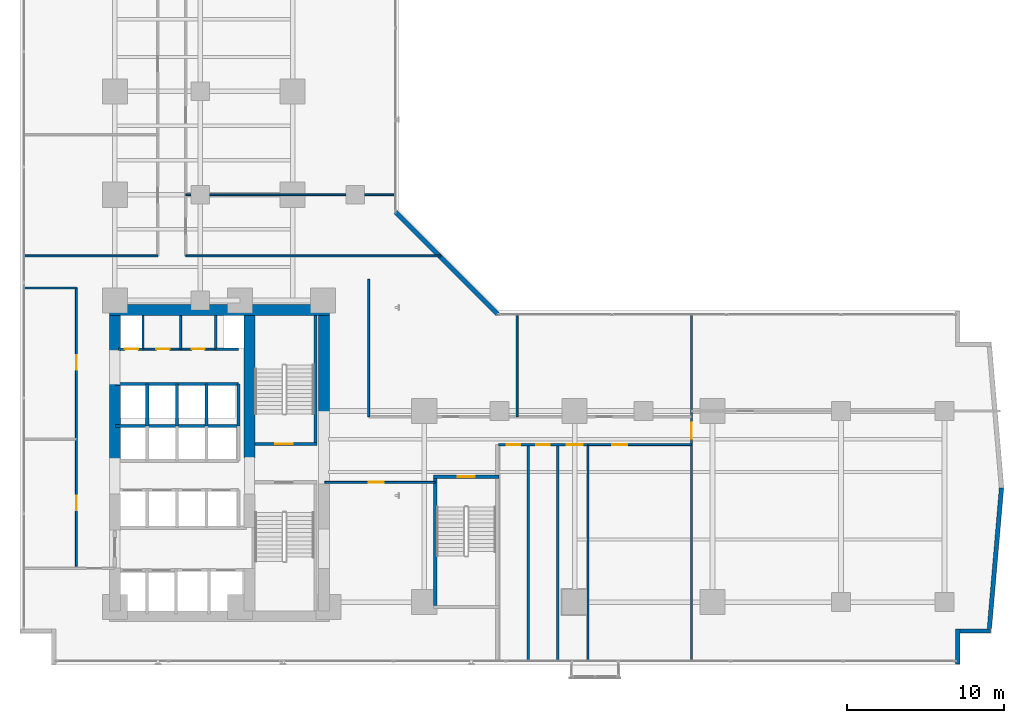
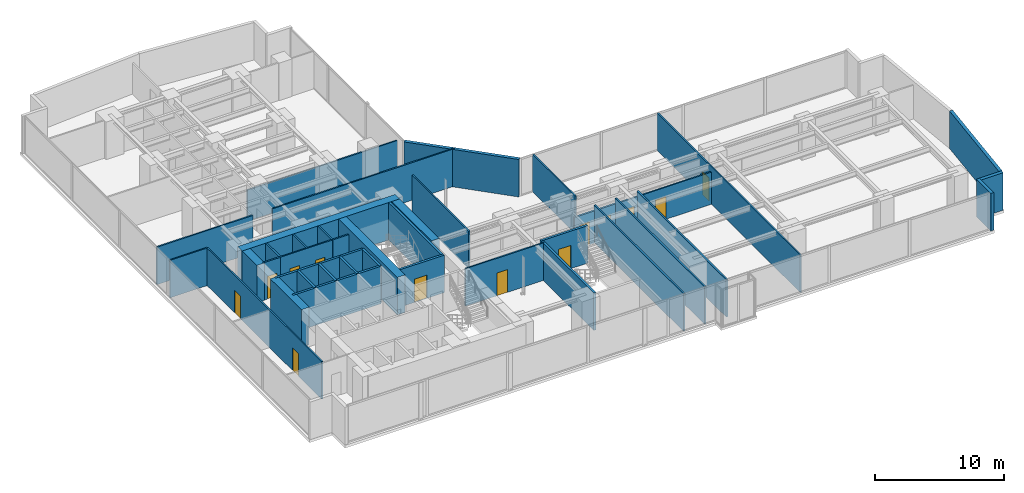
# One storey, part 23 of 28: 39 walls, 13 doors, 13 openings.
"""IFC4 building model written with IfcOpenShell, lengths in metres."""

import ifcopenshell
import ifcopenshell.guid

model = None  # the IFC model being written
_history = None  # IfcOwnerHistory: only IFC2X3 demands one
_inside = {}  # id of a spatial element -> (the spatial element, [elements in it])
_under = {}  # id of a project, library or spatial element -> (it, [spatial elements below it])
_declared = {}  # id of a project -> (the project, [libraries it declares])
_typed = {}  # id of a type object -> (the type object, [elements of that type])
_made_of = {}  # id of a material, layer set ... -> (it, [elements and type objects made of it])


def new_model(schema):
    """Start an empty IFC model of exactly this schema.

    Asked for "IFC4X3", IfcOpenShell would pick the latest addendum, in which some entities
    have other attributes; the version numbers below select the first issue.
    IFC2X3 requires an IfcOwnerHistory on every rooted entity: one is made here for all.
    """
    global model, _history
    if schema == "IFC4X3":
        model = ifcopenshell.file(schema_version=(4, 3, 0, 0))
    else:
        model = ifcopenshell.file(schema=schema)
    _inside.clear()
    _under.clear()
    _declared.clear()
    _typed.clear()
    _made_of.clear()
    _history = None
    if model.schema == "IFC2X3":
        org = make("IfcOrganization", Name="unknown")
        user = make(
            "IfcPersonAndOrganization",
            ThePerson=make("IfcPerson", FamilyName="unknown"),
            TheOrganization=org,
        )
        app = make(
            "IfcApplication",
            ApplicationDeveloper=org,
            Version="unknown",
            ApplicationFullName="unknown",
            ApplicationIdentifier="unknown",
        )
        _history = make(
            "IfcOwnerHistory",
            OwningUser=user,
            OwningApplication=app,
            ChangeAction="ADDED",
            CreationDate=0,
        )
    return model


def make(cls, **values):
    """One entity of the class cls with the attributes given. An attribute that is None is left unset."""
    return model.create_entity(
        cls, **{name: value for name, value in values.items() if value is not None}
    )


def rooted(cls, **values):
    """An entity with a GlobalId (a new one), such as an element, a storey or a relation."""
    return make(cls, GlobalId=ifcopenshell.guid.new(), OwnerHistory=_history, **values)


def si_unit(unit_type, name, prefix=None):
    """IfcSIUnit, for example si_unit("LENGTHUNIT", "METRE", prefix="MILLI")."""
    return make("IfcSIUnit", UnitType=unit_type, Prefix=prefix, Name=name)


def assignment(units):
    """IfcUnitAssignment: the units of a project."""
    return None if units is None else make("IfcUnitAssignment", Units=units)


def point(xyz):
    """IfcCartesianPoint."""
    return None if xyz is None else make("IfcCartesianPoint", Coordinates=xyz)


def direction(xyz):
    """IfcDirection."""
    return None if xyz is None else make("IfcDirection", DirectionRatios=xyz)


def frame(location, z_axis=None, x_axis=None):
    """IfcAxis2Placement3D, a coordinate frame: its origin and axes. An axis left out is left unset."""
    return make(
        "IfcAxis2Placement3D",
        Location=point(location),
        Axis=direction(z_axis),
        RefDirection=direction(x_axis),
    )


def frame_2d(location, x_axis=None):
    """IfcAxis2Placement2D, a coordinate frame in the plane: its origin and x axis."""
    return make(
        "IfcAxis2Placement2D", Location=point(location), RefDirection=direction(x_axis)
    )


def origin():
    """The frame at (0, 0, 0) with its axes left unset."""
    return frame((0.0, 0.0, 0.0))


def place(relative_to, where):
    """IfcLocalPlacement: puts the frame where relative to a parent placement (None: the world)."""
    return make(
        "IfcLocalPlacement", PlacementRelTo=relative_to, RelativePlacement=where
    )


def context(
    kind, dimensions, precision=None, world=None, true_north=None, identifier=None
):
    """IfcGeometricRepresentationContext, for example the 3D "Model" context."""
    return make(
        "IfcGeometricRepresentationContext",
        ContextIdentifier=identifier,
        ContextType=kind,
        CoordinateSpaceDimension=dimensions,
        Precision=precision,
        WorldCoordinateSystem=world,
        TrueNorth=true_north,
    )


def subcontext(parent, identifier, kind, view, scale=None):
    """IfcGeometricRepresentationSubContext, for example "Body" below "Model"."""
    return make(
        "IfcGeometricRepresentationSubContext",
        ContextIdentifier=identifier,
        ContextType=kind,
        ParentContext=parent,
        TargetScale=scale,
        TargetView=view,
    )


def project(units=None, contexts=None):
    """IfcProject with its units and contexts."""
    return rooted(
        "IfcProject",
        Name="project",
        RepresentationContexts=contexts,
        UnitsInContext=assignment(units),
    )


def spatial(cls, under=None, at=None, **own):
    """A site, building, storey or space (cls), placed at a placement, below another one or the project."""
    s = rooted(cls, ObjectPlacement=at, **own)
    if under is not None:
        _under.setdefault(under.id(), (under, []))[1].append(s)
    return s


def profile(cls, at=None, kind="AREA", **sizes):
    """A parametric profile (cls). Its sizes go by their IFC names, for example OverallWidth=200.0."""
    return make(cls, ProfileType=kind, Position=at, **sizes)


def rectangle(**sizes):
    """IfcRectangleProfileDef."""
    return profile("IfcRectangleProfileDef", **sizes)


def extrude(swept, where, along, depth):
    """IfcExtrudedAreaSolid: the profile swept, set in the frame where, extruded along a direction by depth."""
    return make(
        "IfcExtrudedAreaSolid",
        SweptArea=swept,
        Position=where,
        ExtrudedDirection=direction(along),
        Depth=depth,
    )


def shape(context_of_items, identifier, shape_type, items):
    """IfcShapeRepresentation: the items that make up one representation, for example the "Body"."""
    return make(
        "IfcShapeRepresentation",
        ContextOfItems=context_of_items,
        RepresentationIdentifier=identifier,
        RepresentationType=shape_type,
        Items=items,
    )


def material(Name=None, Category=None):
    """IfcMaterial."""
    return make("IfcMaterial", Name=Name, Category=Category)


def layer(
    of_material, thickness, ventilated=None, Name=None, Category=None, Priority=None
):
    """IfcMaterialLayer: one layer of a wall or slab, of a material (None: an air gap)."""
    return make(
        "IfcMaterialLayer",
        Material=of_material,
        LayerThickness=thickness,
        IsVentilated=ventilated,
        Name=Name,
        Category=Category,
        Priority=Priority,
    )


def layer_set(layers, Name=None):
    """IfcMaterialLayerSet."""
    return make("IfcMaterialLayerSet", MaterialLayers=layers, LayerSetName=Name)


def made_of(thing, what):
    """Note that an element or type object is made of a material, layer set ...; save() writes the relation."""
    if what is not None:
        _made_of.setdefault(what.id(), (what, []))[1].append(thing)
    return thing


def type_object(cls, material=None, **own):
    """A type object (cls), such as IfcWallType, which elements share."""
    return made_of(rooted(cls, **own), material)


def element(
    cls,
    number,
    at=None,
    inside=None,
    cuts=None,
    type_object=None,
    material=None,
    context=None,
    identifier="Body",
    shape_type=None,
    held_by="IfcProductDefinitionShape",
    body=None,
    shapes=None,
    **own,
):
    """One element of the class cls, such as IfcWall. Its Tag is "e" and its number.

    at: its placement. inside: the storey or other place that contains it. cuts: it is an
    opening in that element (IfcRelVoidsElement). A single representation is given by context,
    identifier, shape_type and body (its items); several are given by shapes. held_by: the class
    of the entity that holds the representations. save() writes the other relations.
    """
    e = rooted(cls, Tag="e%d" % number, ObjectPlacement=at, **own)
    if body is not None:
        shapes = [shape(context, identifier, shape_type, body)]
    if shapes is not None:
        e.Representation = make(held_by, Representations=shapes)
    if inside is not None:
        _inside.setdefault(inside.id(), (inside, []))[1].append(e)
    if cuts is not None:
        rooted(
            "IfcRelVoidsElement", RelatingBuildingElement=cuts, RelatedOpeningElement=e
        )
    if type_object is not None:
        _typed.setdefault(type_object.id(), (type_object, []))[1].append(e)
    return made_of(e, material)


def fill(opening, filler):
    """IfcRelFillsElement: the door or window that sits in an opening."""
    return rooted(
        "IfcRelFillsElement",
        RelatingOpeningElement=opening,
        RelatedBuildingElement=filler,
    )


def aggregate(whole, parts):
    """IfcRelAggregates: a whole, such as a stair, and the parts it consists of."""
    return rooted("IfcRelAggregates", RelatingObject=whole, RelatedObjects=parts)


def save(model, path):
    """Write the relations noted so far, then the file.

    IfcRelAggregates (storeys below a building ...), IfcRelContainedInSpatialStructure (elements
    in a storey), IfcRelDefinesByType, IfcRelAssociatesMaterial and IfcRelDeclares: one each for
    every whole, place, type object, material and project.
    """
    for whole, parts in _under.values():
        aggregate(whole, parts)
    for where, things in _inside.values():
        rooted(
            "IfcRelContainedInSpatialStructure",
            RelatedElements=things,
            RelatingStructure=where,
        )
    for kind, things in _typed.values():
        rooted("IfcRelDefinesByType", RelatedObjects=things, RelatingType=kind)
    for what, things in _made_of.values():
        rooted("IfcRelAssociatesMaterial", RelatedObjects=things, RelatingMaterial=what)
    for by, libraries in _declared.values():
        rooted("IfcRelDeclares", RelatingContext=by, RelatedDefinitions=libraries)
    model.write(path)


model = new_model("IFC4")

# Units and contexts
model_context = context("Model", 3, precision=1e-05, world=origin(), true_north=direction((0.0, 1.0)))
body_context = subcontext(model_context, "Body", "Model", "MODEL_VIEW")
ifc_project = project(units=[si_unit("LENGTHUNIT", "METRE"), si_unit("AREAUNIT", "SQUARE_METRE"), si_unit("VOLUMEUNIT", "CUBIC_METRE"), si_unit("PLANEANGLEUNIT", "RADIAN"), si_unit("MASSUNIT", "GRAM", prefix="KILO")], contexts=[model_context])

# Site, building, storey
site_placement = place(None, origin())
site = spatial("IfcSite", under=ifc_project, at=site_placement, CompositionType="ELEMENT")
building_placement = place(site_placement, origin())
building = spatial("IfcBuilding", under=site, at=building_placement, Name="Kolvaren Waterfront Exchange", CompositionType="ELEMENT")
storey_placement = place(building_placement, frame((0.0, 0.0, 41.0)))
storey = spatial("IfcBuildingStorey", under=building, at=storey_placement, Name="L10", CompositionType="ELEMENT", Elevation=41.0)

# Walls
ifc_material_1 = material(Name="Precast concrete C40/50", Category="concrete")
ifc_layer_1 = layer(ifc_material_1, 0.280029296875, Name="Precast concrete C40/50")
ifc_layer_set_1 = layer_set([ifc_layer_1], Name="Precast concrete C40/50")
wall_type_1 = type_object("IfcWallType", Name="ARC-EXT-TERR-280", PredefinedType="SOLIDWALL", material=ifc_layer_set_1)
wall_1_placement = place(storey_placement, frame((61.239990234375, 1.260009765625, 0.0), z_axis=(0.0, 0.0, 1.0), x_axis=(0.0, 1.0, 0.0)))
element("IfcWall", 1, at=wall_1_placement, inside=storey, type_object=wall_type_1, Name="L10 notched corner spandrel pier SE-A", PredefinedType="SOLIDWALL", context=body_context, shape_type="SweptSolid", body=[
    extrude(rectangle(XDim=2.239990234375, YDim=0.280029296875, at=frame_2d((1.1201171875, 0.0))), origin(), (0.0, 0.0, 1.0), 3.5400390625),
])
wall_2_placement = place(storey_placement, frame((61.3798828125, 3.360107421875, 0.0), z_axis=(0.0, 0.0, 1.0), x_axis=(1.0, 0.0, 0.0)))
element("IfcWall", 2, at=wall_2_placement, inside=storey, type_object=wall_type_1, Name="L10 notched corner spandrel pier SE-B", PredefinedType="SOLIDWALL", context=body_context, shape_type="SweptSolid", body=[
    extrude(rectangle(XDim=1.960205078125, YDim=0.280029296875, at=frame_2d((0.97998046875, 0.0))), origin(), (0.0, 0.0, 1.0), 3.5400390625),
])
wall_3_placement = place(storey_placement, frame((31.885009765625, 23.574951171875, 0.0), z_axis=(0.0, 0.0, 1.0), x_axis=(-0.707106781187, 0.707106781187, 0.0)))
element("IfcWall", 3, at=wall_3_placement, inside=storey, type_object=wall_type_1, Name="L10 notched corner spandrel pier ELBOW", PredefinedType="SOLIDWALL", context=body_context, shape_type="SweptSolid", body=[
    extrude(rectangle(XDim=9.20654296875, YDim=0.280029296875, at=frame_2d((4.603271484375, 0.0))), origin(), (0.0, 0.0, 1.0), 3.5400390625),
])
wall_4_placement = place(storey_placement, frame((63.266357421875, 3.5126953125, 0.0), z_axis=(0.0, 0.0, 1.0), x_axis=(0.085692274626, 0.996321651912, 0.0)))
element("IfcWall", 4, at=wall_4_placement, inside=storey, type_object=wall_type_1, Name="L10 east prow faceted facade wall 1", PredefinedType="SOLIDWALL", context=body_context, shape_type="SweptSolid", body=[
    extrude(rectangle(XDim=9.014404296875, YDim=0.280029296875, at=frame_2d((4.50732421875, 0.0))), origin(), (0.0, 0.0, 1.0), 3.5400390625),
])

# Wall, opening, door
ifc_layer_2 = layer(ifc_material_1, 0.199951171875, Name="Precast concrete C40/50")
ifc_layer_set_2 = layer_set([ifc_layer_2], Name="Precast concrete C40/50")
wall_type_2 = type_object("IfcWallType", Name="ARC-FIRE-200", PredefinedType="PARTITIONING", material=ifc_layer_set_2)
wall_5_placement = place(storey_placement, frame((16.409912109375, 15.300048828125, 0.0), z_axis=(0.0, 0.0, 1.0), x_axis=(1.0, 0.0, 0.0)))
wall_5 = element("IfcWall", 5, at=wall_5_placement, inside=storey, type_object=wall_type_2, Name="L10 interior wall PW-L10-ST2-THROAT-N", PredefinedType="PARTITIONING", context=body_context, shape_type="SweptSolid", body=[
    extrude(rectangle(XDim=3.9501953125, YDim=0.199951171875, at=frame_2d((1.97509765625, 0.0))), origin(), (0.0, 0.0, 1.0), 3.5400390625),
])
opening_1_placement = place(wall_5_placement, frame((1.293701171875, 0.0, 0.0)))
opening_1 = element("IfcOpeningElement", 6, at=opening_1_placement, cuts=wall_5, Name="Opening FD2", PredefinedType="OPENING", context=body_context, shape_type="SweptSolid", body=[
    extrude(rectangle(XDim=1.10009765625, YDim=2.199951171875, at=frame_2d((0.550048828125, 1.10009765625))), frame((0.0, 0.10986328125, 0.0), z_axis=(0.0, -1.0, 0.0), x_axis=(1.0, 0.0, 0.0)), (0.0, 0.0, 1.0), 0.219970703125),
])
ifc_material_2 = material(Name="Pressed steel smoke-seal fire door", Category="steel")
door_type_1 = type_object("IfcDoorType", Name="ARC-FD-1100", OperationType="NOTDEFINED", PredefinedType="DOOR", material=ifc_material_2)
door_1_placement = place(opening_1_placement, origin())
door_1 = element("IfcDoor", 7, at=door_1_placement, inside=storey, type_object=door_type_1, Name="L10 door DR-L10-ST2-IN (FD2)", OperationType="SINGLE_SWING_RIGHT", OverallHeight=2.199951171875, OverallWidth=1.10009765625, PredefinedType="DOOR", context=body_context, shape_type="SweptSolid", body=[
    extrude(rectangle(XDim=1.10009765625, YDim=2.199951171875, at=frame_2d((0.550048828125, 1.10009765625))), frame((0.0, 0.02490234375, 0.0), z_axis=(0.0, -1.0, 0.0), x_axis=(1.0, 0.0, 0.0)), (0.0, 0.0, 1.0), 0.050048828125),
])
fill(opening_1, door_1)

# Wall, openings, doors
ifc_material_3 = material(Name="Acoustic gypsum steel stud", Category="steel")
ifc_layer_3 = layer(ifc_material_3, 0.125, Name="Acoustic gypsum steel stud")
ifc_layer_set_3 = layer_set([ifc_layer_3], Name="Acoustic gypsum steel stud")
wall_type_3 = type_object("IfcWallType", Name="ARC-PART-125", PredefinedType="PARTITIONING", material=ifc_layer_set_3)
wall_6_placement = place(storey_placement, frame((9.25, 21.35009765625, 0.0), z_axis=(0.0, 0.0, 1.0), x_axis=(1.0, 0.0, 0.0)))
wall_6 = element("IfcWall", 8, at=wall_6_placement, inside=storey, type_object=wall_type_3, Name="L10 interior wall PW-L10-SVC-EX-S", PredefinedType="PARTITIONING", context=body_context, shape_type="SweptSolid", body=[
    extrude(rectangle(XDim=4.64990234375, YDim=0.125, at=frame_2d((2.324951171875, 0.0))), origin(), (0.0, 0.0, 1.0), 3.5400390625),
])
opening_2_placement = place(wall_6_placement, frame((0.85009765625, 0.0, 0.0)))
opening_2 = element("IfcOpeningElement", 9, at=opening_2_placement, cuts=wall_6, Name="Opening D01", PredefinedType="OPENING", context=body_context, shape_type="SweptSolid", body=[
    extrude(rectangle(XDim=0.85009765625, YDim=2.14990234375, at=frame_2d((0.425048828125, 1.074951171875))), frame((0.0, 0.072509765625, 0.0), z_axis=(0.0, -1.0, 0.0), x_axis=(1.0, 0.0, 0.0)), (0.0, 0.0, 1.0), 0.14501953125),
])
opening_3_placement = place(wall_6_placement, frame((3.10009765625, 0.0, 0.0)))
opening_3 = element("IfcOpeningElement", 10, at=opening_3_placement, cuts=wall_6, Name="Opening D01", PredefinedType="OPENING", context=body_context, shape_type="SweptSolid", body=[
    extrude(rectangle(XDim=0.85009765625, YDim=2.14990234375, at=frame_2d((0.425048828125, 1.074951171875))), frame((0.0, 0.072509765625, 0.0), z_axis=(0.0, -1.0, 0.0), x_axis=(1.0, 0.0, 0.0)), (0.0, 0.0, 1.0), 0.14501953125),
])
ifc_material_4 = material(Name="Oak veneer timber leaf", Category="wood")
door_type_2 = type_object("IfcDoorType", Name="ARC-DR-900", OperationType="NOTDEFINED", PredefinedType="DOOR", material=ifc_material_4)
door_2_placement = place(opening_2_placement, origin())
door_2 = element("IfcDoor", 11, at=door_2_placement, inside=storey, type_object=door_type_2, Name="L10 door DR-L10-SVC-DR-1 (D01)", OperationType="SINGLE_SWING_RIGHT", OverallHeight=2.14990234375, OverallWidth=0.85009765625, PredefinedType="DOOR", context=body_context, shape_type="SweptSolid", body=[
    extrude(rectangle(XDim=0.85009765625, YDim=2.14990234375, at=frame_2d((0.425048828125, 1.074951171875))), frame((0.0, 0.02490234375, 0.0), z_axis=(0.0, -1.0, 0.0), x_axis=(1.0, 0.0, 0.0)), (0.0, 0.0, 1.0), 0.050048828125),
])
fill(opening_2, door_2)
door_3_placement = place(opening_3_placement, origin())
door_3 = element("IfcDoor", 12, at=door_3_placement, inside=storey, type_object=door_type_2, Name="L10 door DR-L10-SVC-DR-2 (D01)", OperationType="SINGLE_SWING_LEFT", OverallHeight=2.14990234375, OverallWidth=0.85009765625, PredefinedType="DOOR", context=body_context, shape_type="SweptSolid", body=[
    extrude(rectangle(XDim=0.85009765625, YDim=2.14990234375, at=frame_2d((0.425048828125, 1.074951171875))), frame((0.0, 0.02490234375, 0.0), z_axis=(0.0, -1.0, 0.0), x_axis=(1.0, 0.0, 0.0)), (0.0, 0.0, 1.0), 0.050048828125),
])
fill(opening_3, door_3)

# Wall
wall_7_placement = place(storey_placement, frame((11.64990234375, 21.35009765625, 0.0), z_axis=(0.0, 0.0, 1.0), x_axis=(0.0, 1.0, 0.0)))
element("IfcWall", 13, at=wall_7_placement, inside=storey, type_object=wall_type_3, Name="L10 interior wall PW-L10-SVC-EX-M1", PredefinedType="PARTITIONING", context=body_context, shape_type="SweptSolid", body=[
    extrude(rectangle(XDim=2.1298828125, YDim=0.125, at=frame_2d((1.06494140625, 0.0))), origin(), (0.0, 0.0, 1.0), 3.5400390625),
])

# Wall, openings, doors
wall_8_placement = place(storey_placement, frame((5.0, 7.5, 0.0), z_axis=(0.0, 0.0, 1.0), x_axis=(0.0, 1.0, 0.0)))
wall_8 = element("IfcWall", 14, at=wall_8_placement, inside=storey, type_object=wall_type_3, Name="L10 interior wall PW-L10-WFLANK-E", PredefinedType="PARTITIONING", context=body_context, shape_type="SweptSolid", body=[
    extrude(rectangle(XDim=17.75, YDim=0.125, at=frame_2d((8.875, 0.0))), origin(), (0.0, 0.0, 1.0), 3.5400390625),
])
opening_4_placement = place(wall_8_placement, frame((3.550048828125, 0.0, 0.0)))
opening_4 = element("IfcOpeningElement", 15, at=opening_4_placement, cuts=wall_8, Name="Opening D02", PredefinedType="OPENING", context=body_context, shape_type="SweptSolid", body=[
    extrude(rectangle(XDim=0.949951171875, YDim=2.14990234375, at=frame_2d((0.47509765625, 1.074951171875))), frame((0.0, 0.072509765625, 0.0), z_axis=(0.0, -1.0, 0.0), x_axis=(1.0, 0.0, 0.0)), (0.0, 0.0, 1.0), 0.14501953125),
])
opening_5_placement = place(wall_8_placement, frame((12.52099609375, 0.0, 0.0)))
opening_5 = element("IfcOpeningElement", 16, at=opening_5_placement, cuts=wall_8, Name="Opening D02", PredefinedType="OPENING", context=body_context, shape_type="SweptSolid", body=[
    extrude(rectangle(XDim=0.949951171875, YDim=2.14990234375, at=frame_2d((0.47509765625, 1.074951171875))), frame((0.0, 0.072509765625, 0.0), z_axis=(0.0, -1.0, 0.0), x_axis=(1.0, 0.0, 0.0)), (0.0, 0.0, 1.0), 0.14501953125),
])
ifc_material_5 = material(Name="Oak veneer acoustic timber", Category="wood")
door_type_3 = type_object("IfcDoorType", Name="ARC-DR-950", OperationType="NOTDEFINED", PredefinedType="DOOR", material=ifc_material_5)
door_4_placement = place(opening_4_placement, origin())
door_4 = element("IfcDoor", 17, at=door_4_placement, inside=storey, type_object=door_type_3, Name="L10 door DR-L10-WFL1-D (D02)", OperationType="SINGLE_SWING_RIGHT", OverallHeight=2.14990234375, OverallWidth=0.949951171875, PredefinedType="DOOR", context=body_context, shape_type="SweptSolid", body=[
    extrude(rectangle(XDim=0.949951171875, YDim=2.14990234375, at=frame_2d((0.47509765625, 1.074951171875))), frame((0.0, 0.02490234375, 0.0), z_axis=(0.0, -1.0, 0.0), x_axis=(1.0, 0.0, 0.0)), (0.0, 0.0, 1.0), 0.050048828125),
])
fill(opening_4, door_4)
door_5_placement = place(opening_5_placement, origin())
door_5 = element("IfcDoor", 18, at=door_5_placement, inside=storey, type_object=door_type_3, Name="L10 door DR-L10-WFL2-D (D02)", OperationType="SINGLE_SWING_LEFT", OverallHeight=2.14990234375, OverallWidth=0.949951171875, PredefinedType="DOOR", context=body_context, shape_type="SweptSolid", body=[
    extrude(rectangle(XDim=0.949951171875, YDim=2.14990234375, at=frame_2d((0.47509765625, 1.074951171875))), frame((0.0, 0.02490234375, 0.0), z_axis=(0.0, -1.0, 0.0), x_axis=(1.0, 0.0, 0.0)), (0.0, 0.0, 1.0), 0.050048828125),
])
fill(opening_5, door_5)

# Wall
wall_9_placement = place(storey_placement, frame((1.639892578125, 25.25, 0.0), z_axis=(0.0, 0.0, 1.0), x_axis=(1.0, 0.0, 0.0)))
element("IfcWall", 19, at=wall_9_placement, inside=storey, type_object=wall_type_3, Name="L10 interior wall PW-L10-WFLANK-N", PredefinedType="PARTITIONING", context=body_context, shape_type="SweptSolid", body=[
    extrude(rectangle(XDim=3.360107421875, YDim=0.125, at=frame_2d((1.68017578125, 0.0))), origin(), (0.0, 0.0, 1.0), 3.5400390625),
])

# Wall, opening, door
wall_10_placement = place(storey_placement, frame((20.85009765625, 12.85009765625, 0.0), z_axis=(0.0, 0.0, 1.0), x_axis=(1.0, 0.0, 0.0)))
wall_10 = element("IfcWall", 20, at=wall_10_placement, inside=storey, type_object=wall_type_3, Name="L10 interior wall PW-L10-SWST3-N", PredefinedType="PARTITIONING", context=body_context, shape_type="SweptSolid", body=[
    extrude(rectangle(XDim=7.0498046875, YDim=0.125, at=frame_2d((3.52490234375, 0.0))), origin(), (0.0, 0.0, 1.0), 3.5400390625),
])
opening_6_placement = place(wall_10_placement, frame((2.800048828125, 0.0, 0.0)))
opening_6 = element("IfcOpeningElement", 21, at=opening_6_placement, cuts=wall_10, Name="Opening D02", PredefinedType="OPENING", context=body_context, shape_type="SweptSolid", body=[
    extrude(rectangle(XDim=0.949951171875, YDim=2.14990234375, at=frame_2d((0.47509765625, 1.074951171875))), frame((0.0, 0.072509765625, 0.0), z_axis=(0.0, -1.0, 0.0), x_axis=(1.0, 0.0, 0.0)), (0.0, 0.0, 1.0), 0.14501953125),
])
door_6_placement = place(opening_6_placement, origin())
door_6 = element("IfcDoor", 22, at=door_6_placement, inside=storey, type_object=door_type_3, Name="L10 door DR-L10-SWST3-D (D02)", OperationType="SINGLE_SWING_RIGHT", OverallHeight=2.14990234375, OverallWidth=0.949951171875, PredefinedType="DOOR", context=body_context, shape_type="SweptSolid", body=[
    extrude(rectangle(XDim=0.949951171875, YDim=2.14990234375, at=frame_2d((0.47509765625, 1.074951171875))), frame((0.0, 0.02490234375, 0.0), z_axis=(0.0, -1.0, 0.0), x_axis=(1.0, 0.0, 0.0)), (0.0, 0.0, 1.0), 0.050048828125),
])
fill(opening_6, door_6)

wall_11_placement = place(storey_placement, frame((37.64990234375, 15.25, 0.0), z_axis=(0.0, 0.0, 1.0), x_axis=(1.0, 0.0, 0.0)))
wall_11 = element("IfcWall", 23, at=wall_11_placement, inside=storey, type_object=wall_type_3, Name="L10 interior wall PW-L10-ES-CORR", PredefinedType="PARTITIONING", context=body_context, shape_type="SweptSolid", body=[
    extrude(rectangle(XDim=6.60009765625, YDim=0.125, at=frame_2d((3.300048828125, 0.0))), origin(), (0.0, 0.0, 1.0), 3.0400390625),
])
opening_7_placement = place(wall_11_placement, frame((1.5556640625, 0.0, 0.0)))
opening_7 = element("IfcOpeningElement", 24, at=opening_7_placement, cuts=wall_11, Name="Opening D02", PredefinedType="OPENING", context=body_context, shape_type="SweptSolid", body=[
    extrude(rectangle(XDim=0.949951171875, YDim=2.14990234375, at=frame_2d((0.47509765625, 1.074951171875))), frame((0.0, 0.072509765625, 0.0), z_axis=(0.0, -1.0, 0.0), x_axis=(1.0, 0.0, 0.0)), (0.0, 0.0, 1.0), 0.14501953125),
])
door_7_placement = place(opening_7_placement, origin())
door_7 = element("IfcDoor", 25, at=door_7_placement, inside=storey, type_object=door_type_3, Name="L10 door DR-L10-ES-D-1 (D02)", OperationType="SINGLE_SWING_LEFT", OverallHeight=2.14990234375, OverallWidth=0.949951171875, PredefinedType="DOOR", context=body_context, shape_type="SweptSolid", body=[
    extrude(rectangle(XDim=0.949951171875, YDim=2.14990234375, at=frame_2d((0.47509765625, 1.074951171875))), frame((0.0, 0.02490234375, 0.0), z_axis=(0.0, -1.0, 0.0), x_axis=(1.0, 0.0, 0.0)), (0.0, 0.0, 1.0), 0.050048828125),
])
fill(opening_7, door_7)

wall_12_placement = place(storey_placement, frame((44.25, 1.43994140625, 0.0), z_axis=(0.0, 0.0, 1.0), x_axis=(0.0, 1.0, 0.0)))
wall_12 = element("IfcWall", 26, at=wall_12_placement, inside=storey, type_object=wall_type_3, Name="L10 interior wall PW-L10-ETIP-W", PredefinedType="PARTITIONING", context=body_context, shape_type="SweptSolid", body=[
    extrude(rectangle(XDim=22.1201171875, YDim=0.125, at=frame_2d((11.06005859375, 0.0))), origin(), (0.0, 0.0, 1.0), 3.5400390625),
])
opening_8_placement = place(wall_12_placement, frame((14.199951171875, 0.0, 0.0)))
opening_8 = element("IfcOpeningElement", 27, at=opening_8_placement, cuts=wall_12, Name="Opening D03", PredefinedType="OPENING", context=body_context, shape_type="SweptSolid", body=[
    extrude(rectangle(XDim=1.0, YDim=2.199951171875, at=frame_2d((0.5, 1.10009765625))), frame((0.0, 0.072509765625, 0.0), z_axis=(0.0, -1.0, 0.0), x_axis=(1.0, 0.0, 0.0)), (0.0, 0.0, 1.0), 0.14501953125),
])
ifc_material_6 = material(Name="Oak veneer accessible timber", Category="wood")
door_type_4 = type_object("IfcDoorType", Name="ARC-DR-1000", OperationType="NOTDEFINED", PredefinedType="DOOR", material=ifc_material_6)
door_8_placement = place(opening_8_placement, origin())
door_8 = element("IfcDoor", 28, at=door_8_placement, inside=storey, type_object=door_type_4, Name="L10 door DR-L10-ETIP1-D (D03)", OperationType="SINGLE_SWING_RIGHT", OverallHeight=2.199951171875, OverallWidth=1.0, PredefinedType="DOOR", context=body_context, shape_type="SweptSolid", body=[
    extrude(rectangle(XDim=1.0, YDim=2.199951171875, at=frame_2d((0.5, 1.10009765625))), frame((0.0, 0.02490234375, 0.0), z_axis=(0.0, -1.0, 0.0), x_axis=(1.0, 0.0, 0.0)), (0.0, 0.0, 1.0), 0.050048828125),
])
fill(opening_8, door_8)

# Walls
wall_13_placement = place(storey_placement, frame((23.64990234375, 17.030029296875, 0.0), z_axis=(0.0, 0.0, 1.0), x_axis=(0.0, 1.0, 0.0)))
element("IfcWall", 29, at=wall_13_placement, inside=storey, type_object=wall_type_3, Name="L10 interior wall PW-L10-EN-W0", PredefinedType="PARTITIONING", context=body_context, shape_type="SweptSolid", body=[
    extrude(rectangle(XDim=8.77001953125, YDim=0.125, at=frame_2d((4.385009765625, 0.0))), origin(), (0.0, 0.0, 1.0), 3.5400390625),
])
wall_14_placement = place(storey_placement, frame((33.1298828125, 17.030029296875, 0.0), z_axis=(0.0, 0.0, 1.0), x_axis=(0.0, 1.0, 0.0)))
element("IfcWall", 30, at=wall_14_placement, inside=storey, type_object=wall_type_3, Name="L10 interior wall PW-L10-EN-DIV-1", PredefinedType="PARTITIONING", context=body_context, shape_type="SweptSolid", body=[
    extrude(rectangle(XDim=6.530029296875, YDim=0.125, at=frame_2d((3.26513671875, 0.0))), origin(), (0.0, 0.0, 1.0), 3.5400390625),
])
wall_15_placement = place(storey_placement, frame((1.639892578125, 27.300048828125, 0.0), z_axis=(0.0, 0.0, 1.0), x_axis=(1.0, 0.0, 0.0)))
element("IfcWall", 31, at=wall_15_placement, inside=storey, type_object=wall_type_3, Name="L10 interior wall PW-L10-NW-S0", PredefinedType="PARTITIONING", context=body_context, shape_type="SweptSolid", body=[
    extrude(rectangle(XDim=8.56005859375, YDim=0.125, at=frame_2d((4.280029296875, 0.0))), origin(), (0.0, 0.0, 1.0), 3.5400390625),
])
wall_16_placement = place(storey_placement, frame((11.97998046875, 27.300048828125, 0.0), z_axis=(0.0, 0.0, 1.0), x_axis=(1.0, 0.0, 0.0)))
element("IfcWall", 32, at=wall_16_placement, inside=storey, type_object=wall_type_3, Name="L10 interior wall PW-L10-NE-S0", PredefinedType="PARTITIONING", context=body_context, shape_type="SweptSolid", body=[
    extrude(rectangle(XDim=16.280029296875, YDim=0.125, at=frame_2d((8.14013671875, 0.0))), origin(), (0.0, 0.0, 1.0), 3.5400390625),
])
wall_17_placement = place(storey_placement, frame((11.97998046875, 31.199951171875, 0.0), z_axis=(0.0, 0.0, 1.0), x_axis=(1.0, 0.0, 0.0)))
element("IfcWall", 33, at=wall_17_placement, inside=storey, type_object=wall_type_3, Name="L10 interior wall PW-L10-NE-DIV-1", PredefinedType="PARTITIONING", context=body_context, shape_type="SweptSolid", body=[
    extrude(rectangle(XDim=13.380126953125, YDim=0.125, at=frame_2d((6.68994140625, 0.0))), origin(), (0.0, 0.0, 1.0), 2.93994140625),
])
ifc_material_7 = material(Name="Gypsum fireboard steel stud", Category="steel")
ifc_layer_4 = layer(ifc_material_7, 0.14990234375, Name="Gypsum fireboard steel stud")
ifc_layer_set_4 = layer_set([ifc_layer_4], Name="Gypsum fireboard steel stud")
wall_type_4 = type_object("IfcWallType", Name="ARC-PART-150", PredefinedType="PARTITIONING", material=ifc_layer_set_4)
for number, where, z_axis, x_axis, name in (
    (34, (9.25, 21.35009765625, 0.0), (0.0, 0.0, 1.0), (0.0, 1.0, 0.0), "L10 interior wall PW-L10-SVC-R1"),
    (35, (13.89990234375, 21.35009765625, 0.0), (0.0, 0.0, 1.0), (0.0, 1.0, 0.0), "L10 interior wall PW-L10-SVC-R2"),
):
    element("IfcWall", number, at=place(storey_placement, frame(where, z_axis=z_axis, x_axis=x_axis)), inside=storey, type_object=wall_type_4, Name=name, PredefinedType="PARTITIONING", context=body_context, shape_type="SweptSolid", body=[
        extrude(rectangle(XDim=2.1298828125, YDim=0.14990234375, at=frame_2d((1.06494140625, 0.0))), origin(), (0.0, 0.0, 1.0), 3.5400390625),
    ])

# Wall, opening, door
wall_18_placement = place(storey_placement, frame((7.699951171875, 21.35009765625, 0.0), z_axis=(0.0, 0.0, 1.0), x_axis=(1.0, 0.0, 0.0)))
wall_18 = element("IfcWall", 36, at=wall_18_placement, inside=storey, type_object=wall_type_4, Name="L10 interior wall PW-L10-SVC-RE-S", PredefinedType="PARTITIONING", context=body_context, shape_type="SweptSolid", body=[
    extrude(rectangle(XDim=1.550048828125, YDim=0.14990234375, at=frame_2d((0.77490234375, 0.0))), origin(), (0.0, 0.0, 1.0), 3.5400390625),
])
opening_9_placement = place(wall_18_placement, frame((0.389892578125, 0.0, 0.0)))
opening_9 = element("IfcOpeningElement", 37, at=opening_9_placement, cuts=wall_18, Name="Opening FD1", PredefinedType="OPENING", context=body_context, shape_type="SweptSolid", body=[
    extrude(rectangle(XDim=0.85009765625, YDim=2.14990234375, at=frame_2d((0.425048828125, 1.074951171875))), frame((0.0, 0.0849609375, 0.0), z_axis=(0.0, -1.0, 0.0), x_axis=(1.0, 0.0, 0.0)), (0.0, 0.0, 1.0), 0.169921875),
])
ifc_material_8 = material(Name="Pressed steel fire leaf", Category="steel")
door_type_5 = type_object("IfcDoorType", Name="ARC-FD-900", OperationType="NOTDEFINED", PredefinedType="DOOR", material=ifc_material_8)
door_9_placement = place(opening_9_placement, origin())
door_9 = element("IfcDoor", 38, at=door_9_placement, inside=storey, type_object=door_type_5, Name="L10 door DR-L10-RISER-E-DR (FD1)", OperationType="SINGLE_SWING_LEFT", OverallHeight=2.14990234375, OverallWidth=0.85009765625, PredefinedType="DOOR", context=body_context, shape_type="SweptSolid", body=[
    extrude(rectangle(XDim=0.85009765625, YDim=2.14990234375, at=frame_2d((0.425048828125, 1.074951171875))), frame((0.0, 0.02490234375, 0.0), z_axis=(0.0, -1.0, 0.0), x_axis=(1.0, 0.0, 0.0)), (0.0, 0.0, 1.0), 0.050048828125),
])
fill(opening_9, door_9)

# Wall
wall_19_placement = place(storey_placement, frame((13.89990234375, 21.35009765625, 0.0), z_axis=(0.0, 0.0, 1.0), x_axis=(1.0, 0.0, 0.0)))
element("IfcWall", 39, at=wall_19_placement, inside=storey, type_object=wall_type_4, Name="L10 interior wall PW-L10-SVC-RP-S", PredefinedType="PARTITIONING", context=body_context, shape_type="SweptSolid", body=[
    extrude(rectangle(XDim=1.4501953125, YDim=0.14990234375, at=frame_2d((0.72509765625, 0.0))), origin(), (0.0, 0.0, 1.0), 3.5400390625),
])

# Wall, openings, doors
ifc_material_9 = material(Name="Moisture-resistant gypsum stud")
ifc_layer_5 = layer(ifc_material_9, 0.14990234375, Name="Moisture-resistant gypsum stud")
ifc_layer_set_5 = layer_set([ifc_layer_5], Name="Moisture-resistant gypsum stud")
wall_type_5 = type_object("IfcWallType", Name="ARC-PLUMB-150", PredefinedType="PLUMBINGWALL", material=ifc_layer_set_5)
wall_20_placement = place(storey_placement, frame((31.949951171875, 15.25, 0.0), z_axis=(0.0, 0.0, 1.0), x_axis=(1.0, 0.0, 0.0)))
wall_20 = element("IfcWall", 40, at=wall_20_placement, inside=storey, type_object=wall_type_5, Name="L10 interior wall PW-L10-WC-N", PredefinedType="PLUMBINGWALL", context=body_context, shape_type="SweptSolid", body=[
    extrude(rectangle(XDim=5.699951171875, YDim=0.14990234375, at=frame_2d((2.85009765625, 0.0))), origin(), (0.0, 0.0, 1.0), 3.0400390625),
])
opening_10_placement = place(wall_20_placement, frame((0.514892578125, 0.0, 0.0)))
opening_10 = element("IfcOpeningElement", 41, at=opening_10_placement, cuts=wall_20, Name="Opening D01", PredefinedType="OPENING", context=body_context, shape_type="SweptSolid", body=[
    extrude(rectangle(XDim=0.85009765625, YDim=2.14990234375, at=frame_2d((0.425048828125, 1.074951171875))), frame((0.0, 0.0849609375, 0.0), z_axis=(0.0, -1.0, 0.0), x_axis=(1.0, 0.0, 0.0)), (0.0, 0.0, 1.0), 0.169921875),
])
opening_11_placement = place(wall_20_placement, frame((2.39501953125, 0.0, 0.0)))
opening_11 = element("IfcOpeningElement", 42, at=opening_11_placement, cuts=wall_20, Name="Opening D01", PredefinedType="OPENING", context=body_context, shape_type="SweptSolid", body=[
    extrude(rectangle(XDim=0.85009765625, YDim=2.14990234375, at=frame_2d((0.425048828125, 1.074951171875))), frame((0.0, 0.0849609375, 0.0), z_axis=(0.0, -1.0, 0.0), x_axis=(1.0, 0.0, 0.0)), (0.0, 0.0, 1.0), 0.169921875),
])
opening_12_placement = place(wall_20_placement, frame((4.35009765625, 0.0, 0.0)))
opening_12 = element("IfcOpeningElement", 43, at=opening_12_placement, cuts=wall_20, Name="Opening D03", PredefinedType="OPENING", context=body_context, shape_type="SweptSolid", body=[
    extrude(rectangle(XDim=1.0, YDim=2.199951171875, at=frame_2d((0.5, 1.10009765625))), frame((0.0, 0.0849609375, 0.0), z_axis=(0.0, -1.0, 0.0), x_axis=(1.0, 0.0, 0.0)), (0.0, 0.0, 1.0), 0.169921875),
])
door_10_placement = place(opening_12_placement, origin())
door_10 = element("IfcDoor", 44, at=door_10_placement, inside=storey, type_object=door_type_4, Name="L10 door DR-L10-WCA-D (D03)", OperationType="SINGLE_SWING_RIGHT", OverallHeight=2.199951171875, OverallWidth=1.0, PredefinedType="DOOR", context=body_context, shape_type="SweptSolid", body=[
    extrude(rectangle(XDim=1.0, YDim=2.199951171875, at=frame_2d((0.5, 1.10009765625))), frame((0.0, 0.02490234375, 0.0), z_axis=(0.0, -1.0, 0.0), x_axis=(1.0, 0.0, 0.0)), (0.0, 0.0, 1.0), 0.050048828125),
])
fill(opening_12, door_10)
door_11_placement = place(opening_10_placement, origin())
door_11 = element("IfcDoor", 45, at=door_11_placement, inside=storey, type_object=door_type_2, Name="L10 door DR-L10-WCM-D (D01)", OperationType="SINGLE_SWING_RIGHT", OverallHeight=2.14990234375, OverallWidth=0.85009765625, PredefinedType="DOOR", context=body_context, shape_type="SweptSolid", body=[
    extrude(rectangle(XDim=0.85009765625, YDim=2.14990234375, at=frame_2d((0.425048828125, 1.074951171875))), frame((0.0, 0.02490234375, 0.0), z_axis=(0.0, -1.0, 0.0), x_axis=(1.0, 0.0, 0.0)), (0.0, 0.0, 1.0), 0.050048828125),
])
fill(opening_10, door_11)
door_12_placement = place(opening_11_placement, origin())
door_12 = element("IfcDoor", 46, at=door_12_placement, inside=storey, type_object=door_type_2, Name="L10 door DR-L10-WCF-D (D01)", OperationType="SINGLE_SWING_LEFT", OverallHeight=2.14990234375, OverallWidth=0.85009765625, PredefinedType="DOOR", context=body_context, shape_type="SweptSolid", body=[
    extrude(rectangle(XDim=0.85009765625, YDim=2.14990234375, at=frame_2d((0.425048828125, 1.074951171875))), frame((0.0, 0.02490234375, 0.0), z_axis=(0.0, -1.0, 0.0), x_axis=(1.0, 0.0, 0.0)), (0.0, 0.0, 1.0), 0.050048828125),
])
fill(opening_11, door_12)

# Walls
for number, where, z_axis, x_axis, name in (
    (47, (33.830078125, 1.43994140625, 0.0), (0.0, 0.0, 1.0), (0.0, 1.0, 0.0), "L10 interior wall PW-L10-WC-1"),
    (48, (35.7099609375, 1.43994140625, 0.0), (0.0, 0.0, 1.0), (0.0, 1.0, 0.0), "L10 interior wall PW-L10-WC-2"),
    (49, (37.64990234375, 1.43994140625, 0.0), (0.0, 0.0, 1.0), (0.0, 1.0, 0.0), "L10 interior wall PW-L10-WC-3"),
):
    element("IfcWall", number, at=place(storey_placement, frame(where, z_axis=z_axis, x_axis=x_axis)), inside=storey, type_object=wall_type_5, Name=name, PredefinedType="PLUMBINGWALL", context=body_context, shape_type="SweptSolid", body=[
        extrude(rectangle(XDim=13.81005859375, YDim=0.14990234375, at=frame_2d((6.905029296875, 0.0))), origin(), (0.0, 0.0, 1.0), 3.5400390625),
    ])
ifc_material_10 = material(Name="Concrete C40/50", Category="concrete")
ifc_layer_6 = layer(ifc_material_10, 0.199951171875, Name="Concrete C40/50")
ifc_layer_set_6 = layer_set([ifc_layer_6], Name="Concrete C40/50")
wall_type_6 = type_object("IfcWallType", Name="ARC-SHAFT-200", PredefinedType="PARTITIONING", material=ifc_layer_set_6)
wall_21_placement = place(storey_placement, frame((20.260009765625, 15.39990234375, 0.0), z_axis=(0.0, 0.0, 1.0), x_axis=(0.0, 1.0, 0.0)))
element("IfcWall", 50, at=wall_21_placement, inside=storey, type_object=wall_type_6, Name="L10 structural stairwell wall PW-L10-ST2-E", PredefinedType="SHEAR", context=body_context, shape_type="SweptSolid", body=[
    extrude(rectangle(XDim=8.090087890625, YDim=0.199951171875, at=frame_2d((4.044921875, 0.0))), origin(), (0.0, 0.0, 1.0), 3.5400390625),
])
wall_22_placement = place(storey_placement, frame((27.89990234375, 5.0, 0.0), z_axis=(0.0, 0.0, 1.0), x_axis=(0.0, 1.0, 0.0)))
element("IfcWall", 51, at=wall_22_placement, inside=storey, type_object=wall_type_6, Name="L10 structural stairwell wall PW-L10-ST3-W", PredefinedType="SHEAR", context=body_context, shape_type="SweptSolid", body=[
    extrude(rectangle(XDim=8.10009765625, YDim=0.199951171875, at=frame_2d((4.050048828125, 0.0))), origin(), (0.0, 0.0, 1.0), 3.5400390625),
])

# Wall, opening, door
wall_23_placement = place(storey_placement, frame((27.800048828125, 13.199951171875, 0.0), z_axis=(0.0, 0.0, 1.0), x_axis=(1.0, 0.0, 0.0)))
wall_23 = element("IfcWall", 52, at=wall_23_placement, inside=storey, type_object=wall_type_6, Name="L10 structural stairwell wall PW-L10-ST3-N", PredefinedType="SHEAR", context=body_context, shape_type="SweptSolid", body=[
    extrude(rectangle(XDim=4.159912109375, YDim=0.199951171875, at=frame_2d((2.080078125, 0.0))), origin(), (0.0, 0.0, 1.0), 3.5400390625),
])
opening_13_placement = place(wall_23_placement, frame((1.530029296875, 0.0, 0.0)))
opening_13 = element("IfcOpeningElement", 53, at=opening_13_placement, cuts=wall_23, Name="Opening FD2", PredefinedType="OPENING", context=body_context, shape_type="SweptSolid", body=[
    extrude(rectangle(XDim=1.10009765625, YDim=2.199951171875, at=frame_2d((0.550048828125, 1.10009765625))), frame((0.0, 0.10986328125, 0.0), z_axis=(0.0, -1.0, 0.0), x_axis=(1.0, 0.0, 0.0)), (0.0, 0.0, 1.0), 0.219970703125),
])
door_13_placement = place(opening_13_placement, frame((1.10009765625, 0.0, 0.0), z_axis=(0.0, 0.0, 1.0), x_axis=(-1.0, 0.0, 0.0)))
door_13 = element("IfcDoor", 54, at=door_13_placement, inside=storey, type_object=door_type_1, Name="L10 door DR-L10-ST3-IN (FD2)", OperationType="SINGLE_SWING_LEFT", OverallHeight=2.199951171875, OverallWidth=1.10009765625, PredefinedType="DOOR", context=body_context, shape_type="SweptSolid", body=[
    extrude(rectangle(XDim=1.10009765625, YDim=2.199951171875, at=frame_2d((0.550048828125, 1.10009765625))), frame((0.0, 0.02490234375, 0.0), z_axis=(0.0, -1.0, 0.0), x_axis=(1.0, 0.0, 0.0)), (0.0, 0.0, 1.0), 0.050048828125),
])
fill(opening_13, door_13)

# Walls
for number, where, z_axis, x_axis, name in (
    (55, (7.5, 16.449951171875, 0.0), (0.0, 0.0, 1.0), (1.0, 0.0, 0.0), "L10 interior wall PW-L10-PM-N"),
    (56, (7.5, 19.1201171875, 0.0), (0.0, 0.0, 1.0), (1.0, 0.0, 0.0), "L10 interior wall PW-L10-PH-N"),
):
    element("IfcWall", number, at=place(storey_placement, frame(where, z_axis=z_axis, x_axis=x_axis)), inside=storey, type_object=wall_type_6, Name=name, PredefinedType="PARTITIONING", context=body_context, shape_type="SweptSolid", body=[
        extrude(rectangle(XDim=7.85009765625, YDim=0.199951171875, at=frame_2d((3.925048828125, 0.0))), origin(), (0.0, 0.0, 1.0), 3.5400390625),
    ])
for number, where, z_axis, x_axis, name in (
    (57, (15.35009765625, 16.449951171875, 0.0), (0.0, 0.0, 1.0), (0.0, 1.0, 0.0), "L10 interior wall PW-L10-PH-E"),
    (58, (9.52001953125, 16.449951171875, 0.0), (0.0, 0.0, 1.0), (0.0, 1.0, 0.0), "L10 interior wall PW-L10-SH4-DIV-95"),
    (59, (11.409912109375, 16.449951171875, 0.0), (0.0, 0.0, 1.0), (0.0, 1.0, 0.0), "L10 interior wall PW-L10-SH4-DIV-114"),
    (60, (13.300048828125, 16.449951171875, 0.0), (0.0, 0.0, 1.0), (0.0, 1.0, 0.0), "L10 interior wall PW-L10-SH4-DIV-133"),
):
    element("IfcWall", number, at=place(storey_placement, frame(where, z_axis=z_axis, x_axis=x_axis)), inside=storey, type_object=wall_type_6, Name=name, PredefinedType="PARTITIONING", context=body_context, shape_type="SweptSolid", body=[
        extrude(rectangle(XDim=2.670166015625, YDim=0.199951171875, at=frame_2d((1.3349609375, 0.0))), origin(), (0.0, 0.0, 1.0), 3.5400390625),
    ])
ifc_material_11 = material(Name="Concrete C70/85", Category="concrete")
ifc_layer_7 = layer(ifc_material_11, 0.699951171875, Name="Concrete C70/85")
ifc_layer_set_7 = layer_set([ifc_layer_7], Name="Concrete C70/85")
wall_type_7 = type_object("IfcWallType", Name="STR-CWALL-700", PredefinedType="SHEAR", material=ifc_layer_set_7)
wall_24_placement = place(storey_placement, frame((7.10009765625, 23.85009765625, 0.0), z_axis=(0.0, 0.0, 1.0), x_axis=(1.0, 0.0, 0.0)))
element("IfcWall", 61, at=wall_24_placement, inside=storey, type_object=wall_type_7, Name="L10 rear-core shear wall N", PredefinedType="SHEAR", context=body_context, shape_type="SweptSolid", body=[
    extrude(rectangle(XDim=14.0498046875, YDim=0.699951171875, at=frame_2d((7.02490234375, 0.0))), origin(), (0.0, 0.0, 1.0), 3.5400390625),
])
wall_25_placement = place(storey_placement, frame((7.449951171875, 14.35009765625, 0.0), z_axis=(0.0, 0.0, 1.0), x_axis=(0.0, 1.0, 0.0)))
element("IfcWall", 62, at=wall_25_placement, inside=storey, type_object=wall_type_7, Name="L10 rear-core shear wall W2B", PredefinedType="SHEAR", context=body_context, shape_type="SweptSolid", body=[
    extrude(rectangle(XDim=4.809814453125, YDim=0.699951171875, at=frame_2d((2.40478515625, 0.0))), origin(), (0.0, 0.0, 1.0), 3.5400390625),
])
wall_26_placement = place(storey_placement, frame((7.449951171875, 21.239990234375, 0.0), z_axis=(0.0, 0.0, 1.0), x_axis=(0.0, 1.0, 0.0)))
element("IfcWall", 63, at=wall_26_placement, inside=storey, type_object=wall_type_7, Name="L10 rear-core shear wall W3", PredefinedType="SHEAR", context=body_context, shape_type="SweptSolid", body=[
    extrude(rectangle(XDim=2.260009765625, YDim=0.699951171875, at=frame_2d((1.1298828125, 0.0))), origin(), (0.0, 0.0, 1.0), 3.5400390625),
])
wall_27_placement = place(storey_placement, frame((20.800048828125, 17.35009765625, 0.0), z_axis=(0.0, 0.0, 1.0), x_axis=(0.0, 1.0, 0.0)))
element("IfcWall", 64, at=wall_27_placement, inside=storey, type_object=wall_type_7, Name="L10 rear-core shear wall E3", PredefinedType="SHEAR", context=body_context, shape_type="SweptSolid", body=[
    extrude(rectangle(XDim=6.14990234375, YDim=0.699951171875, at=frame_2d((3.074951171875, 0.0))), origin(), (0.0, 0.0, 1.0), 3.5400390625),
])
wall_28_placement = place(storey_placement, frame((16.050048828125, 14.39990234375, 0.0), z_axis=(0.0, 0.0, 1.0), x_axis=(0.0, 1.0, 0.0)))
element("IfcWall", 65, at=wall_28_placement, inside=storey, type_object=wall_type_7, Name="L10 rear-core shear wall M3", PredefinedType="SHEAR", context=body_context, shape_type="SweptSolid", body=[
    extrude(rectangle(XDim=9.10009765625, YDim=0.699951171875, at=frame_2d((4.550048828125, 0.0))), origin(), (0.0, 0.0, 1.0), 3.5400390625),
])

save(model, "model.ifc")
